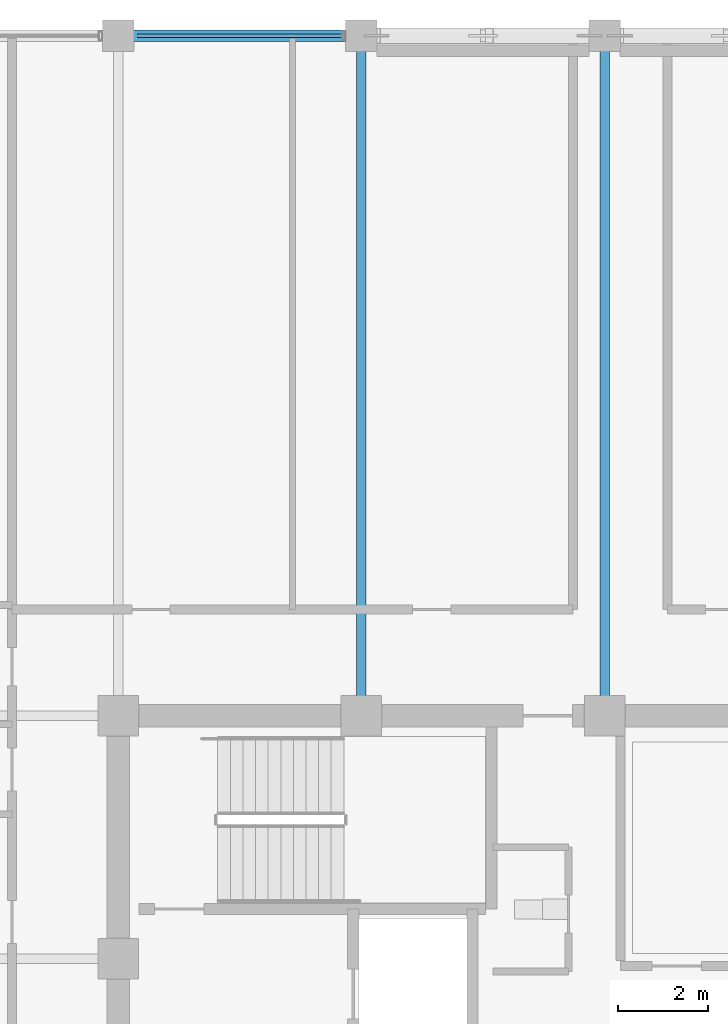
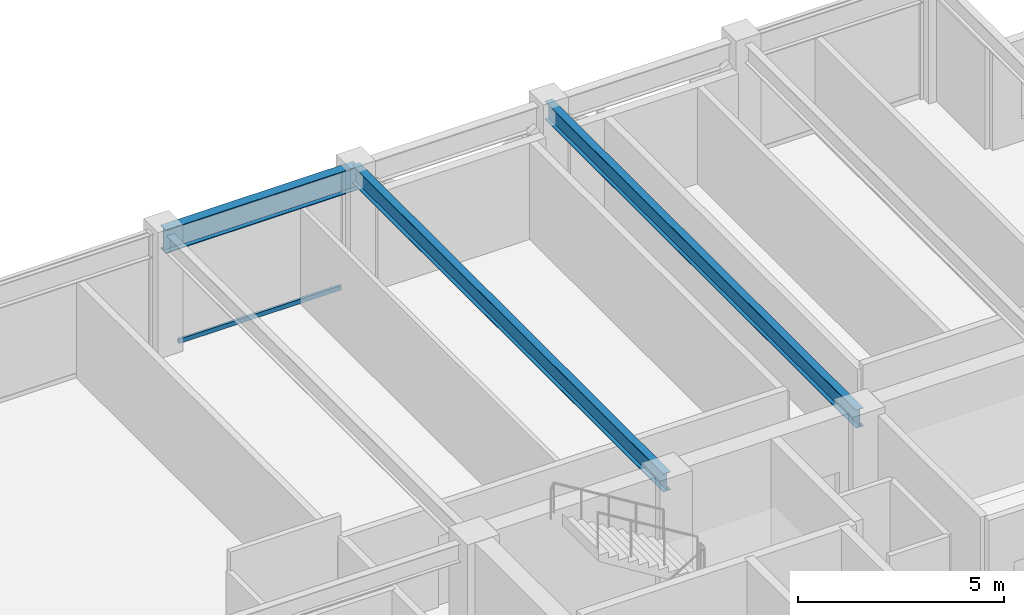
# One storey, part 18 of 31: 3 beams, 1 member, 1 element without a shape of its own.
"""IFC4 building model written with IfcOpenShell, lengths in metres."""

from ifc_helpers import new_model, si_unit, direction, frame, origin, origin_2d, place, context, subcontext, project, spatial, hollow_rectangle, i_section, extrude, material, layer, layer_set, material_profile, profile_set, type_object, element, aggregate, save


model = new_model("IFC4")

# Units and contexts
model_context = context("Model", 3, precision=1e-05, world=origin(), true_north=direction((0.0, 1.0)))
body_context = subcontext(model_context, "Body", "Model", "MODEL_VIEW")
ifc_project = project(units=[si_unit("LENGTHUNIT", "METRE"), si_unit("AREAUNIT", "SQUARE_METRE"), si_unit("VOLUMEUNIT", "CUBIC_METRE"), si_unit("PLANEANGLEUNIT", "RADIAN"), si_unit("MASSUNIT", "GRAM", prefix="KILO")], contexts=[model_context])

# Site, building, storey
site_placement = place(None, origin())
site = spatial("IfcSite", under=ifc_project, at=site_placement, CompositionType="ELEMENT")
building_placement = place(site_placement, origin())
building = spatial("IfcBuilding", under=site, at=building_placement, Name="Surkhivell Harbour Commons", CompositionType="ELEMENT")
storey_placement = place(building_placement, frame((0.0, 0.0, 330.0)))
storey = spatial("IfcBuildingStorey", under=building, at=storey_placement, Name="L86", CompositionType="ELEMENT", Elevation=330.0)

# Beams
ifc_material_1 = material(Name="Steel S355", Category="steel")
ifc_material_profile_1 = material_profile(ifc_material_1, i_section(OverallWidth=0.2099609375, OverallDepth=0.537109375, WebThickness=0.0107421875, FlangeThickness=0.017333984375, at=origin_2d()), Name="UB533x210x101")
ifc_profile_set_1 = profile_set([ifc_material_profile_1], Name="Steel S355")
beam_type_1 = type_object("IfcBeamType", Name="BM-GRD-533B", PredefinedType="BEAM", material=ifc_profile_set_1)
for number, where, z_axis, x_axis, name in (
    (1, (-5.39990234375, 10.800048828125, 3.301513671875), (0.0, 1.0, 0.0), (-1.0, 0.0, 0.0), "L86 Floor Girder (-5.4,10.8)"),
    (2, (0.0, 10.800048828125, 3.301513671875), (0.0, 1.0, 0.0), (-1.0, 0.0, 0.0), "L86 Floor Girder (0.0,10.8)"),
):
    element("IfcBeam", number, at=place(storey_placement, frame(where, z_axis=z_axis, x_axis=x_axis)), inside=storey, type_object=beam_type_1, Name=name, PredefinedType="BEAM", context=body_context, shape_type="SweptSolid", body=[
        extrude(i_section(OverallWidth=0.2099609375, OverallDepth=0.537109375, WebThickness=0.0107421875, FlangeThickness=0.017333984375, at=origin_2d()), origin(), (0.0, 0.0, 1.0), 15.099853515625),
    ])
ifc_material_profile_2 = material_profile(ifc_material_1, i_section(OverallWidth=0.256103515625, OverallDepth=0.693115234375, WebThickness=0.014404296875, FlangeThickness=0.023681640625, at=origin_2d()), Name="UB686x254x170")
ifc_profile_set_2 = profile_set([ifc_material_profile_2], Name="Steel S355")
beam_type_2 = type_object("IfcBeamType", Name="BM-SPN-686", PredefinedType="SPANDREL", material=ifc_profile_set_2)
beam_placement = place(storey_placement, frame((-10.800048828125, 25.89990234375, 3.223388671875), z_axis=(1.0, 0.0, 0.0), x_axis=(0.0, 1.0, 0.0)))
element("IfcBeam", 3, at=beam_placement, inside=storey, type_object=beam_type_2, Name="L86 Tube Spandrel (-10.8,25.9)", PredefinedType="SPANDREL", context=body_context, shape_type="SweptSolid", body=[
    extrude(i_section(OverallWidth=0.256103515625, OverallDepth=0.693115234375, WebThickness=0.014404296875, FlangeThickness=0.023681640625, at=origin_2d()), origin(), (0.0, 0.0, 1.0), 5.400146484375),
])

# Curtain wall, member
ifc_material_2 = material(Name="Anodised pale-metal aluminium and insulated glazing", Category="aluminium")
ifc_layer = layer(ifc_material_2, 0.175048828125)
ifc_layer_set = layer_set([ifc_layer], Name="Anodised pale-metal aluminium and insulated glazing")
curtain_wall_type = type_object("IfcCurtainWallType", Name="CW-SYS-Z4", PredefinedType="NOTDEFINED", material=ifc_layer_set)
curtain_wall_placement = place(storey_placement, origin())
curtain_wall = element("IfcCurtainWall", 4, at=curtain_wall_placement, inside=storey, type_object=curtain_wall_type, Name="L86 Curtain Wall CW-L86-E07S2", PredefinedType="NOTDEFINED")
ifc_material_3 = material(Name="Champagne anodised aluminium alloy 6063-T6", Category="aluminium")
ifc_material_profile_3 = material_profile(ifc_material_3, hollow_rectangle(XDim=0.070068359375, YDim=0.1298828125, WallThickness=0.00341796875, at=origin_2d()), Name="ALU-TRAN-70x130")
ifc_profile_set_3 = profile_set([ifc_material_profile_3], Name="Champagne anodised aluminium alloy 6063-T6")
member_type = type_object("IfcMemberType", Name="CWT-130", PredefinedType="USERDEFINED", material=ifc_profile_set_3)
member_placement = place(storey_placement, frame((-5.826904296875, 25.89990234375, 0.06494140625), z_axis=(-1.0, 0.0, 0.0), x_axis=(0.0, -1.0, 0.0)))
member = element("IfcMember", 5, at=member_placement, type_object=member_type, Name="CW-Z4 transom 1.1", ObjectType="TRANSOM", PredefinedType="USERDEFINED", context=body_context, shape_type="SweptSolid", body=[
    extrude(hollow_rectangle(XDim=0.070068359375, YDim=0.1298828125, WallThickness=0.00341796875, at=origin_2d()), origin(), (0.0, 0.0, 1.0), 4.546142578125),
])
aggregate(curtain_wall, [member])

save(model, "model.ifc")
